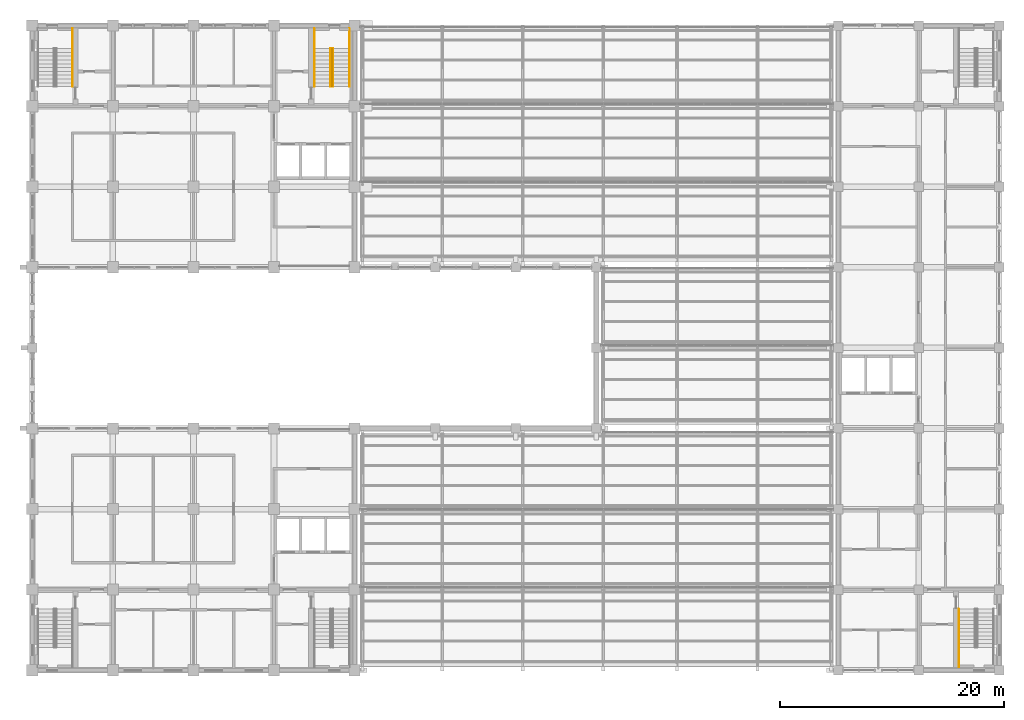
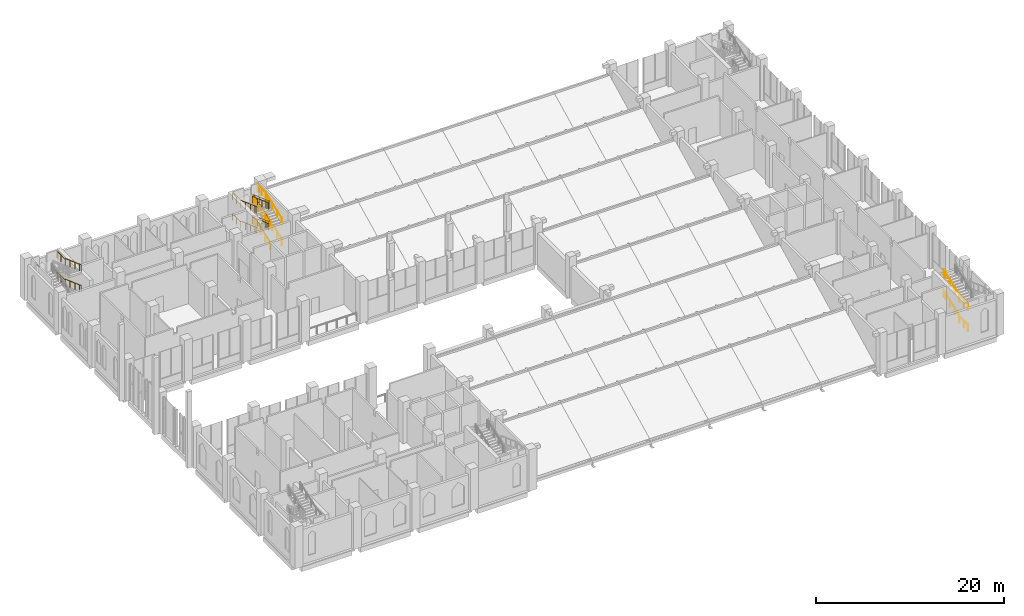
# One storey, part 81 of 83: 13 railings.
"""IFC4 building model written with IfcOpenShell, lengths in metres."""

from ifc_helpers import new_model, si_unit, direction, frame, origin, origin_2d, place, context, subcontext, project, spatial, circle, extrude, material, type_object, element, save


model = new_model("IFC4")

# Units and contexts
model_context = context("Model", 3, precision=1e-05, world=origin(), true_north=direction((0.0, 1.0)))
body_context = subcontext(model_context, "Body", "Model", "MODEL_VIEW")
ifc_project = project(units=[si_unit("LENGTHUNIT", "METRE"), si_unit("AREAUNIT", "SQUARE_METRE"), si_unit("VOLUMEUNIT", "CUBIC_METRE"), si_unit("PLANEANGLEUNIT", "RADIAN"), si_unit("MASSUNIT", "GRAM", prefix="KILO")], contexts=[model_context])

# Site, building, storey
site_placement = place(None, origin())
site = spatial("IfcSite", under=ifc_project, at=site_placement, CompositionType="ELEMENT")
building_placement = place(site_placement, origin())
building = spatial("IfcBuilding", under=site, at=building_placement, Name="Silangan Lancet Faculty of Sciences", CompositionType="ELEMENT")
storey_placement = place(building_placement, frame((0.0, 0.0, 11.39990234375)))
storey = spatial("IfcBuildingStorey", under=building, at=storey_placement, Name="L02", CompositionType="ELEMENT", Elevation=11.39990234375)

# Railings
ifc_material_1 = material(Name="Steel balustrade", Category="steel")
railing_type_1 = type_object("IfcRailingType", Name="STAIR GUARD 1100", PredefinedType="GUARDRAIL", material=ifc_material_1)
railing_1_placement = place(storey_placement, frame((26.824951171875, 52.14990234375, 0.122802734375)))
element("IfcRailing", 1, at=railing_1_placement, inside=storey, type_object=railing_type_1, Name="GUARD-NT-B-L02", PredefinedType="GUARDRAIL", context=body_context, shape_type="SweptSolid", body=[
    extrude(circle(Radius=0.02392578125, at=origin_2d()), frame((0.0, 0.0, 1.076171875), z_axis=(0.0, 0.940621302891, 0.339457750756), x_axis=(-1.0, 0.0, 0.0)), (0.0, 0.0, 1.0), 2.891845703125),
    extrude(circle(Radius=0.02392578125, at=origin_2d()), frame((0.0, 2.72021484375, 2.0576171875), z_axis=(0.0, 0.940520931127, 0.339735747474), x_axis=(-1.0, 0.0, 0.0)), (0.0, 0.0, 1.0), 0.722900390625),
    extrude(circle(Radius=0.02392578125, at=origin_2d()), frame((0.0, 3.400146484375, 2.30322265625), z_axis=(-1.0, 0.0, 0.0), x_axis=(0.0, -1.0, 0.0)), (0.0, 0.0, 1.0), 0.125),
    extrude(circle(Radius=0.02392578125, at=origin_2d()), frame((-0.125, 3.400146484375, 2.30322265625), z_axis=(0.0, 0.0, 1.0), x_axis=(1.0, 0.0, 0.0)), (0.0, 0.0, 1.0), 0.122802734375),
    extrude(circle(Radius=0.02392578125, at=origin_2d()), frame((-0.125, 3.400146484375, 2.42626953125), z_axis=(0.0, -0.940611573742, 0.339484708555), x_axis=(1.0, 0.0, 0.0)), (0.0, 0.0, 1.0), 2.8916015625),
    extrude(circle(Radius=0.02392578125, at=origin_2d()), frame((-0.125, 0.68017578125, 3.40771484375), z_axis=(0.0, -0.940559891121, 0.339627871668), x_axis=(1.0, 0.0, 0.0)), (0.0, 0.0, 1.0), 0.72314453125),
    extrude(circle(Radius=0.02392578125, at=origin_2d()), frame((-0.125, 0.0, 3.6533203125), z_axis=(1.0, 0.0, 0.0), x_axis=(0.0, 1.0, 0.0)), (0.0, 0.0, 1.0), 0.125),
    extrude(circle(Radius=0.02392578125, at=origin_2d()), frame((0.0, 0.0, 3.6533203125), z_axis=(0.0, 0.0, 1.0), x_axis=(1.0, 0.0, 0.0)), (0.0, 0.0, 1.0), 0.12255859375),
    extrude(circle(Radius=0.02392578125, at=origin_2d()), frame((0.0, 0.0, 3.77587890625), z_axis=(0.0, 0.9405943449, 0.339532440781), x_axis=(-1.0, 0.0, 0.0)), (0.0, 0.0, 1.0), 2.89208984375),
    extrude(circle(Radius=0.02392578125, at=origin_2d()), frame((0.0, 2.72021484375, 4.7578125), z_axis=(0.0, 0.940628803885, 0.339436965136), x_axis=(-1.0, 0.0, 0.0)), (0.0, 0.0, 1.0), 0.722900390625),
    extrude(circle(Radius=0.02392578125, at=origin_2d()), frame((0.0, 3.400146484375, 5.00341796875), z_axis=(-1.0, 0.0, 0.0), x_axis=(0.0, -1.0, 0.0)), (0.0, 0.0, 1.0), 0.125),
    extrude(circle(Radius=0.02392578125, at=origin_2d()), frame((-0.125, 3.400146484375, 5.00341796875), z_axis=(0.0, 0.0, 1.0), x_axis=(1.0, 0.0, 0.0)), (0.0, 0.0, 1.0), 0.122802734375),
    extrude(circle(Radius=0.02392578125, at=origin_2d()), frame((-0.125, 3.400146484375, 5.1259765625), z_axis=(0.0, -0.940611573742, 0.339484708555), x_axis=(1.0, 0.0, 0.0)), (0.0, 0.0, 1.0), 2.8916015625),
    extrude(circle(Radius=0.02392578125, at=origin_2d()), frame((-0.125, 0.68017578125, 6.10791015625), z_axis=(0.0, -0.940559891121, 0.339627871668), x_axis=(1.0, 0.0, 0.0)), (0.0, 0.0, 1.0), 0.72314453125),
    extrude(circle(Radius=0.02392578125, at=origin_2d()), frame((-0.125, 0.0, 6.353515625), z_axis=(1.0, 0.0, 0.0), x_axis=(0.0, 1.0, 0.0)), (0.0, 0.0, 1.0), 0.125),
    extrude(circle(Radius=0.02099609375, at=origin_2d()), origin(), (0.0, 0.0, 1.0), 1.052001953125),
    extrude(circle(Radius=0.02099609375, at=origin_2d()), frame((0.0, 1.360107421875, 0.49072265625)), (0.0, 0.0, 1.0), 1.052001953125),
    extrude(circle(Radius=0.02099609375, at=origin_2d()), frame((0.0, 2.72021484375, 0.981689453125)), (0.0, 0.0, 1.0), 1.052001953125),
    extrude(circle(Radius=0.02099609375, at=origin_2d()), frame((0.0, 3.400146484375, 1.227294921875)), (0.0, 0.0, 1.0), 1.052001953125),
    extrude(circle(Radius=0.02099609375, at=origin_2d()), frame((-0.125, 3.400146484375, 1.227294921875)), (0.0, 0.0, 1.0), 1.052001953125),
    extrude(circle(Radius=0.02099609375, at=origin_2d()), frame((-0.125, 3.400146484375, 1.35009765625)), (0.0, 0.0, 1.0), 1.052001953125),
    extrude(circle(Radius=0.02099609375, at=origin_2d()), frame((-0.125, 2.0400390625, 1.8408203125)), (0.0, 0.0, 1.0), 1.052001953125),
    extrude(circle(Radius=0.02099609375, at=origin_2d()), frame((-0.125, 0.68017578125, 2.331787109375)), (0.0, 0.0, 1.0), 1.052001953125),
    extrude(circle(Radius=0.02099609375, at=origin_2d()), frame((-0.125, 0.0, 2.577392578125)), (0.0, 0.0, 1.0), 1.052001953125),
    extrude(circle(Radius=0.02099609375, at=origin_2d()), frame((0.0, 0.0, 2.577392578125)), (0.0, 0.0, 1.0), 1.052001953125),
    extrude(circle(Radius=0.02099609375, at=origin_2d()), frame((0.0, 0.0, 2.699951171875)), (0.0, 0.0, 1.0), 1.052001953125),
    extrude(circle(Radius=0.02099609375, at=origin_2d()), frame((0.0, 1.360107421875, 3.19091796875)), (0.0, 0.0, 1.0), 1.052001953125),
    extrude(circle(Radius=0.02099609375, at=origin_2d()), frame((0.0, 2.72021484375, 3.681884765625)), (0.0, 0.0, 1.0), 1.052001953125),
    extrude(circle(Radius=0.02099609375, at=origin_2d()), frame((0.0, 3.400146484375, 3.92724609375)), (0.0, 0.0, 1.0), 1.052001953125),
    extrude(circle(Radius=0.02099609375, at=origin_2d()), frame((-0.125, 3.400146484375, 3.92724609375)), (0.0, 0.0, 1.0), 1.052001953125),
    extrude(circle(Radius=0.02099609375, at=origin_2d()), frame((-0.125, 3.400146484375, 4.050048828125)), (0.0, 0.0, 1.0), 1.052001953125),
    extrude(circle(Radius=0.02099609375, at=origin_2d()), frame((-0.125, 2.0400390625, 4.541015625)), (0.0, 0.0, 1.0), 1.052001953125),
    extrude(circle(Radius=0.02099609375, at=origin_2d()), frame((-0.125, 0.68017578125, 5.03173828125)), (0.0, 0.0, 1.0), 1.052001953125),
    extrude(circle(Radius=0.02099609375, at=origin_2d()), frame((-0.125, 0.0, 5.27734375)), (0.0, 0.0, 1.0), 1.052001953125),
    extrude(circle(Radius=0.02099609375, at=origin_2d()), frame((0.0, 0.0, 5.27734375)), (0.0, 0.0, 1.0), 1.052001953125),
])
ifc_material_2 = material(Name="Stainless steel", Category="steel")
railing_type_2 = type_object("IfcRailingType", Name="STAIR HANDRAIL 865", PredefinedType="HANDRAIL", material=ifc_material_2)
railing_2_placement = place(storey_placement, frame((82.800048828125, 0.27490234375, 1.35009765625)))
element("IfcRailing", 2, at=railing_2_placement, inside=storey, type_object=railing_type_2, Name="HANDRAIL-EB-A-L02-O2", PredefinedType="HANDRAIL", context=body_context, shape_type="SweptSolid", body=[
    extrude(circle(Radius=0.02392578125, at=origin_2d()), frame((0.0, 0.0, 0.8408203125), z_axis=(0.0, 1.0, 0.0), x_axis=(-1.0, 0.0, 0.0)), (0.0, 0.0, 1.0), 1.775146484375),
    extrude(circle(Radius=0.02392578125, at=origin_2d()), frame((0.0, 1.775146484375, 0.8408203125), z_axis=(0.0, 0.0, 1.0), x_axis=(1.0, 0.0, 0.0)), (0.0, 0.0, 1.0), 0.122802734375),
    extrude(circle(Radius=0.02392578125, at=origin_2d()), frame((0.0, 1.775146484375, 0.9638671875), z_axis=(0.0, 0.94060583065, 0.339500620541), x_axis=(-1.0, 0.0, 0.0)), (0.0, 0.0, 1.0), 1.08447265625),
    extrude(circle(Radius=0.02392578125, at=origin_2d()), frame((0.0, 2.795166015625, 1.33203125), z_axis=(0.0, 0.94060583065, 0.339500620541), x_axis=(-1.0, 0.0, 0.0)), (0.0, 0.0, 1.0), 1.08447265625),
    extrude(circle(Radius=0.02392578125, at=origin_2d()), frame((0.0, 3.815185546875, 1.7001953125), z_axis=(0.0, 0.94060583065, 0.339500620541), x_axis=(-1.0, 0.0, 0.0)), (0.0, 0.0, 1.0), 1.08447265625),
    extrude(circle(Radius=0.02392578125, at=origin_2d()), frame((0.0, 4.835205078125, 2.068359375), z_axis=(0.0, 0.940481933992, 0.339843687355), x_axis=(-1.0, 0.0, 0.0)), (0.0, 0.0, 1.0), 0.361328125),
    extrude(circle(Radius=0.02099609375, at=origin_2d()), origin(), (0.0, 0.0, 1.0), 0.81689453125),
    extrude(circle(Radius=0.02099609375, at=origin_2d()), frame((0.0, 0.8876953125, 0.0)), (0.0, 0.0, 1.0), 0.81689453125),
    extrude(circle(Radius=0.02099609375, at=origin_2d()), frame((0.0, 1.775146484375, 0.0)), (0.0, 0.0, 1.0), 0.81689453125),
    extrude(circle(Radius=0.02099609375, at=origin_2d()), frame((0.0, 1.775146484375, 0.122802734375)), (0.0, 0.0, 1.0), 0.81689453125),
    extrude(circle(Radius=0.02099609375, at=origin_2d()), frame((0.0, 2.795166015625, 0.490966796875)), (0.0, 0.0, 1.0), 0.81689453125),
    extrude(circle(Radius=0.02099609375, at=origin_2d()), frame((0.0, 3.815185546875, 0.859130859375)), (0.0, 0.0, 1.0), 0.81689453125),
    extrude(circle(Radius=0.02099609375, at=origin_2d()), frame((0.0, 4.835205078125, 1.227294921875)), (0.0, 0.0, 1.0), 0.81689453125),
    extrude(circle(Radius=0.02099609375, at=origin_2d()), frame((0.0, 5.175048828125, 1.35009765625)), (0.0, 0.0, 1.0), 0.81689453125),
])
railing_3_placement = place(storey_placement, frame((82.800048828125, 0.27490234375, 4.050048828125)))
element("IfcRailing", 3, at=railing_3_placement, inside=storey, type_object=railing_type_2, Name="HANDRAIL-EB-A-L02-O4", PredefinedType="HANDRAIL", context=body_context, shape_type="SweptSolid", body=[
    extrude(circle(Radius=0.02392578125, at=origin_2d()), frame((0.0, 0.0, 0.8408203125), z_axis=(0.0, 1.0, 0.0), x_axis=(-1.0, 0.0, 0.0)), (0.0, 0.0, 1.0), 1.775146484375),
    extrude(circle(Radius=0.02392578125, at=origin_2d()), frame((0.0, 1.775146484375, 0.8408203125), z_axis=(0.0, 0.0, 1.0), x_axis=(1.0, 0.0, 0.0)), (0.0, 0.0, 1.0), 0.122802734375),
    extrude(circle(Radius=0.02392578125, at=origin_2d()), frame((0.0, 1.775146484375, 0.9638671875), z_axis=(0.0, 0.94060583065, 0.339500620541), x_axis=(-1.0, 0.0, 0.0)), (0.0, 0.0, 1.0), 1.08447265625),
    extrude(circle(Radius=0.02392578125, at=origin_2d()), frame((0.0, 2.795166015625, 1.33203125), z_axis=(0.0, 0.94060583065, 0.339500620541), x_axis=(-1.0, 0.0, 0.0)), (0.0, 0.0, 1.0), 1.08447265625),
    extrude(circle(Radius=0.02392578125, at=origin_2d()), frame((0.0, 3.815185546875, 1.7001953125), z_axis=(0.0, 0.94060583065, 0.339500620541), x_axis=(-1.0, 0.0, 0.0)), (0.0, 0.0, 1.0), 1.08447265625),
    extrude(circle(Radius=0.02392578125, at=origin_2d()), frame((0.0, 4.835205078125, 2.068359375), z_axis=(0.0, 0.940481933992, 0.339843687355), x_axis=(-1.0, 0.0, 0.0)), (0.0, 0.0, 1.0), 0.361328125),
    extrude(circle(Radius=0.02099609375, at=origin_2d()), origin(), (0.0, 0.0, 1.0), 0.81689453125),
    extrude(circle(Radius=0.02099609375, at=origin_2d()), frame((0.0, 0.8876953125, 0.0)), (0.0, 0.0, 1.0), 0.81689453125),
    extrude(circle(Radius=0.02099609375, at=origin_2d()), frame((0.0, 1.775146484375, 0.0)), (0.0, 0.0, 1.0), 0.81689453125),
    extrude(circle(Radius=0.02099609375, at=origin_2d()), frame((0.0, 1.775146484375, 0.122802734375)), (0.0, 0.0, 1.0), 0.81689453125),
    extrude(circle(Radius=0.02099609375, at=origin_2d()), frame((0.0, 2.795166015625, 0.490966796875)), (0.0, 0.0, 1.0), 0.81689453125),
    extrude(circle(Radius=0.02099609375, at=origin_2d()), frame((0.0, 3.815185546875, 0.859130859375)), (0.0, 0.0, 1.0), 0.81689453125),
    extrude(circle(Radius=0.02099609375, at=origin_2d()), frame((0.0, 4.835205078125, 1.227294921875)), (0.0, 0.0, 1.0), 0.81689453125),
    extrude(circle(Radius=0.02099609375, at=origin_2d()), frame((0.0, 5.175048828125, 1.35009765625)), (0.0, 0.0, 1.0), 0.81689453125),
])
railing_4_placement = place(storey_placement, frame((3.60009765625, 57.324951171875, 1.35009765625)))
element("IfcRailing", 4, at=railing_4_placement, inside=storey, type_object=railing_type_2, Name="HANDRAIL-NT-A-L02-O2", PredefinedType="HANDRAIL", context=body_context, shape_type="SweptSolid", body=[
    extrude(circle(Radius=0.02392578125, at=origin_2d()), frame((0.0, 0.0, 0.8408203125), z_axis=(0.0, -1.0, 0.0), x_axis=(1.0, 0.0, 0.0)), (0.0, 0.0, 1.0), 1.77490234375),
    extrude(circle(Radius=0.02392578125, at=origin_2d()), frame((0.0, -1.77490234375, 0.8408203125), z_axis=(0.0, 0.0, 1.0), x_axis=(1.0, 0.0, 0.0)), (0.0, 0.0, 1.0), 0.122802734375),
    extrude(circle(Radius=0.02392578125, at=origin_2d()), frame((0.0, -1.77490234375, 0.9638671875), z_axis=(0.0, -0.94060583065, 0.339500620541), x_axis=(1.0, 0.0, 0.0)), (0.0, 0.0, 1.0), 1.08447265625),
    extrude(circle(Radius=0.02392578125, at=origin_2d()), frame((0.0, -2.794921875, 1.33203125), z_axis=(0.0, -0.94060583065, 0.339500620541), x_axis=(1.0, 0.0, 0.0)), (0.0, 0.0, 1.0), 1.08447265625),
    extrude(circle(Radius=0.02392578125, at=origin_2d()), frame((0.0, -3.81494140625, 1.7001953125), z_axis=(0.0, -0.94060583065, 0.339500620541), x_axis=(1.0, 0.0, 0.0)), (0.0, 0.0, 1.0), 1.08447265625),
    extrude(circle(Radius=0.02392578125, at=origin_2d()), frame((0.0, -4.8349609375, 2.068359375), z_axis=(0.0, -0.940559891121, 0.339627871668), x_axis=(1.0, 0.0, 0.0)), (0.0, 0.0, 1.0), 0.361572265625),
    extrude(circle(Radius=0.02099609375, at=origin_2d()), origin(), (0.0, 0.0, 1.0), 0.81689453125),
    extrude(circle(Radius=0.02099609375, at=origin_2d()), frame((0.0, -0.887451171875, 0.0)), (0.0, 0.0, 1.0), 0.81689453125),
    extrude(circle(Radius=0.02099609375, at=origin_2d()), frame((0.0, -1.77490234375, 0.0)), (0.0, 0.0, 1.0), 0.81689453125),
    extrude(circle(Radius=0.02099609375, at=origin_2d()), frame((0.0, -1.77490234375, 0.122802734375)), (0.0, 0.0, 1.0), 0.81689453125),
    extrude(circle(Radius=0.02099609375, at=origin_2d()), frame((0.0, -2.794921875, 0.490966796875)), (0.0, 0.0, 1.0), 0.81689453125),
    extrude(circle(Radius=0.02099609375, at=origin_2d()), frame((0.0, -3.81494140625, 0.859130859375)), (0.0, 0.0, 1.0), 0.81689453125),
    extrude(circle(Radius=0.02099609375, at=origin_2d()), frame((0.0, -4.8349609375, 1.227294921875)), (0.0, 0.0, 1.0), 0.81689453125),
    extrude(circle(Radius=0.02099609375, at=origin_2d()), frame((0.0, -5.175048828125, 1.35009765625)), (0.0, 0.0, 1.0), 0.81689453125),
])
railing_5_placement = place(storey_placement, frame((3.60009765625, 57.324951171875, 4.050048828125)))
element("IfcRailing", 5, at=railing_5_placement, inside=storey, type_object=railing_type_2, Name="HANDRAIL-NT-A-L02-O4", PredefinedType="HANDRAIL", context=body_context, shape_type="SweptSolid", body=[
    extrude(circle(Radius=0.02392578125, at=origin_2d()), frame((0.0, 0.0, 0.8408203125), z_axis=(0.0, -1.0, 0.0), x_axis=(1.0, 0.0, 0.0)), (0.0, 0.0, 1.0), 1.77490234375),
    extrude(circle(Radius=0.02392578125, at=origin_2d()), frame((0.0, -1.77490234375, 0.8408203125), z_axis=(0.0, 0.0, 1.0), x_axis=(1.0, 0.0, 0.0)), (0.0, 0.0, 1.0), 0.122802734375),
    extrude(circle(Radius=0.02392578125, at=origin_2d()), frame((0.0, -1.77490234375, 0.9638671875), z_axis=(0.0, -0.94060583065, 0.339500620541), x_axis=(1.0, 0.0, 0.0)), (0.0, 0.0, 1.0), 1.08447265625),
    extrude(circle(Radius=0.02392578125, at=origin_2d()), frame((0.0, -2.794921875, 1.33203125), z_axis=(0.0, -0.94060583065, 0.339500620541), x_axis=(1.0, 0.0, 0.0)), (0.0, 0.0, 1.0), 1.08447265625),
    extrude(circle(Radius=0.02392578125, at=origin_2d()), frame((0.0, -3.81494140625, 1.7001953125), z_axis=(0.0, -0.94060583065, 0.339500620541), x_axis=(1.0, 0.0, 0.0)), (0.0, 0.0, 1.0), 1.08447265625),
    extrude(circle(Radius=0.02392578125, at=origin_2d()), frame((0.0, -4.8349609375, 2.068359375), z_axis=(0.0, -0.940559891121, 0.339627871668), x_axis=(1.0, 0.0, 0.0)), (0.0, 0.0, 1.0), 0.361572265625),
    extrude(circle(Radius=0.02099609375, at=origin_2d()), origin(), (0.0, 0.0, 1.0), 0.81689453125),
    extrude(circle(Radius=0.02099609375, at=origin_2d()), frame((0.0, -0.887451171875, 0.0)), (0.0, 0.0, 1.0), 0.81689453125),
    extrude(circle(Radius=0.02099609375, at=origin_2d()), frame((0.0, -1.77490234375, 0.0)), (0.0, 0.0, 1.0), 0.81689453125),
    extrude(circle(Radius=0.02099609375, at=origin_2d()), frame((0.0, -1.77490234375, 0.122802734375)), (0.0, 0.0, 1.0), 0.81689453125),
    extrude(circle(Radius=0.02099609375, at=origin_2d()), frame((0.0, -2.794921875, 0.490966796875)), (0.0, 0.0, 1.0), 0.81689453125),
    extrude(circle(Radius=0.02099609375, at=origin_2d()), frame((0.0, -3.81494140625, 0.859130859375)), (0.0, 0.0, 1.0), 0.81689453125),
    extrude(circle(Radius=0.02099609375, at=origin_2d()), frame((0.0, -4.8349609375, 1.227294921875)), (0.0, 0.0, 1.0), 0.81689453125),
    extrude(circle(Radius=0.02099609375, at=origin_2d()), frame((0.0, -5.175048828125, 1.35009765625)), (0.0, 0.0, 1.0), 0.81689453125),
])
railing_6_placement = place(storey_placement, frame((28.324951171875, 52.14990234375, 0.122802734375)))
element("IfcRailing", 6, at=railing_6_placement, inside=storey, type_object=railing_type_2, Name="HANDRAIL-NT-B-L02-O1", PredefinedType="HANDRAIL", context=body_context, shape_type="SweptSolid", body=[
    extrude(circle(Radius=0.02392578125, at=origin_2d()), frame((0.0, 0.0, 0.8408203125), z_axis=(0.0, 0.94060583065, 0.339500620541), x_axis=(-1.0, 0.0, 0.0)), (0.0, 0.0, 1.0), 1.08447265625),
    extrude(circle(Radius=0.02392578125, at=origin_2d()), frame((0.0, 1.02001953125, 1.208984375), z_axis=(0.0, 0.94060583065, 0.339500620541), x_axis=(-1.0, 0.0, 0.0)), (0.0, 0.0, 1.0), 1.08447265625),
    extrude(circle(Radius=0.02392578125, at=origin_2d()), frame((0.0, 2.0400390625, 1.5771484375), z_axis=(0.0, 0.94060583065, 0.339500620541), x_axis=(-1.0, 0.0, 0.0)), (0.0, 0.0, 1.0), 1.08447265625),
    extrude(circle(Radius=0.02392578125, at=origin_2d()), frame((0.0, 3.06005859375, 1.9453125), z_axis=(0.0, 0.940559891121, 0.339627871668), x_axis=(-1.0, 0.0, 0.0)), (0.0, 0.0, 1.0), 0.361572265625),
    extrude(circle(Radius=0.02392578125, at=origin_2d()), frame((0.0, 3.400146484375, 2.068359375), z_axis=(0.0, 1.0, 0.0), x_axis=(-1.0, 0.0, 0.0)), (0.0, 0.0, 1.0), 1.77490234375),
    extrude(circle(Radius=0.02099609375, at=origin_2d()), origin(), (0.0, 0.0, 1.0), 0.81689453125),
    extrude(circle(Radius=0.02099609375, at=origin_2d()), frame((0.0, 1.02001953125, 0.3681640625)), (0.0, 0.0, 1.0), 0.81689453125),
    extrude(circle(Radius=0.02099609375, at=origin_2d()), frame((0.0, 2.0400390625, 0.736328125)), (0.0, 0.0, 1.0), 0.81689453125),
    extrude(circle(Radius=0.02099609375, at=origin_2d()), frame((0.0, 3.06005859375, 1.1044921875)), (0.0, 0.0, 1.0), 0.81689453125),
    extrude(circle(Radius=0.02099609375, at=origin_2d()), frame((0.0, 3.400146484375, 1.227294921875)), (0.0, 0.0, 1.0), 0.81689453125),
    extrude(circle(Radius=0.02099609375, at=origin_2d()), frame((0.0, 4.28759765625, 1.227294921875)), (0.0, 0.0, 1.0), 0.81689453125),
    extrude(circle(Radius=0.02099609375, at=origin_2d()), frame((0.0, 5.175048828125, 1.227294921875)), (0.0, 0.0, 1.0), 0.81689453125),
])
railing_7_placement = place(storey_placement, frame((26.875, 52.14990234375, 0.122802734375)))
element("IfcRailing", 7, at=railing_7_placement, inside=storey, type_object=railing_type_2, Name="HANDRAIL-NT-B-L02-I1", PredefinedType="HANDRAIL", context=body_context, shape_type="SweptSolid", body=[
    extrude(circle(Radius=0.02392578125, at=origin_2d()), frame((0.0, 0.0, 0.8408203125), z_axis=(0.0, 0.94060583065, 0.339500620541), x_axis=(-1.0, 0.0, 0.0)), (0.0, 0.0, 1.0), 1.08447265625),
    extrude(circle(Radius=0.02392578125, at=origin_2d()), frame((0.0, 1.02001953125, 1.208984375), z_axis=(0.0, 0.94060583065, 0.339500620541), x_axis=(-1.0, 0.0, 0.0)), (0.0, 0.0, 1.0), 1.08447265625),
    extrude(circle(Radius=0.02392578125, at=origin_2d()), frame((0.0, 2.0400390625, 1.5771484375), z_axis=(0.0, 0.94060583065, 0.339500620541), x_axis=(-1.0, 0.0, 0.0)), (0.0, 0.0, 1.0), 1.08447265625),
    extrude(circle(Radius=0.02392578125, at=origin_2d()), frame((0.0, 3.06005859375, 1.9453125), z_axis=(0.0, 0.940559891121, 0.339627871668), x_axis=(-1.0, 0.0, 0.0)), (0.0, 0.0, 1.0), 0.361572265625),
    extrude(circle(Radius=0.02099609375, at=origin_2d()), origin(), (0.0, 0.0, 1.0), 0.81689453125),
    extrude(circle(Radius=0.02099609375, at=origin_2d()), frame((0.0, 1.02001953125, 0.3681640625)), (0.0, 0.0, 1.0), 0.81689453125),
    extrude(circle(Radius=0.02099609375, at=origin_2d()), frame((0.0, 2.0400390625, 0.736328125)), (0.0, 0.0, 1.0), 0.81689453125),
    extrude(circle(Radius=0.02099609375, at=origin_2d()), frame((0.0, 3.06005859375, 1.1044921875)), (0.0, 0.0, 1.0), 0.81689453125),
    extrude(circle(Radius=0.02099609375, at=origin_2d()), frame((0.0, 3.400146484375, 1.227294921875)), (0.0, 0.0, 1.0), 0.81689453125),
])
railing_8_placement = place(storey_placement, frame((25.199951171875, 57.324951171875, 1.35009765625)))
element("IfcRailing", 8, at=railing_8_placement, inside=storey, type_object=railing_type_2, Name="HANDRAIL-NT-B-L02-O2", PredefinedType="HANDRAIL", context=body_context, shape_type="SweptSolid", body=[
    extrude(circle(Radius=0.02392578125, at=origin_2d()), frame((0.0, 0.0, 0.8408203125), z_axis=(0.0, -1.0, 0.0), x_axis=(1.0, 0.0, 0.0)), (0.0, 0.0, 1.0), 1.77490234375),
    extrude(circle(Radius=0.02392578125, at=origin_2d()), frame((0.0, -1.77490234375, 0.8408203125), z_axis=(0.0, 0.0, 1.0), x_axis=(1.0, 0.0, 0.0)), (0.0, 0.0, 1.0), 0.122802734375),
    extrude(circle(Radius=0.02392578125, at=origin_2d()), frame((0.0, -1.77490234375, 0.9638671875), z_axis=(0.0, -0.94060583065, 0.339500620541), x_axis=(1.0, 0.0, 0.0)), (0.0, 0.0, 1.0), 1.08447265625),
    extrude(circle(Radius=0.02392578125, at=origin_2d()), frame((0.0, -2.794921875, 1.33203125), z_axis=(0.0, -0.94060583065, 0.339500620541), x_axis=(1.0, 0.0, 0.0)), (0.0, 0.0, 1.0), 1.08447265625),
    extrude(circle(Radius=0.02392578125, at=origin_2d()), frame((0.0, -3.81494140625, 1.7001953125), z_axis=(0.0, -0.94060583065, 0.339500620541), x_axis=(1.0, 0.0, 0.0)), (0.0, 0.0, 1.0), 1.08447265625),
    extrude(circle(Radius=0.02392578125, at=origin_2d()), frame((0.0, -4.8349609375, 2.068359375), z_axis=(0.0, -0.940559891121, 0.339627871668), x_axis=(1.0, 0.0, 0.0)), (0.0, 0.0, 1.0), 0.361572265625),
    extrude(circle(Radius=0.02099609375, at=origin_2d()), origin(), (0.0, 0.0, 1.0), 0.81689453125),
    extrude(circle(Radius=0.02099609375, at=origin_2d()), frame((0.0, -0.887451171875, 0.0)), (0.0, 0.0, 1.0), 0.81689453125),
    extrude(circle(Radius=0.02099609375, at=origin_2d()), frame((0.0, -1.77490234375, 0.0)), (0.0, 0.0, 1.0), 0.81689453125),
    extrude(circle(Radius=0.02099609375, at=origin_2d()), frame((0.0, -1.77490234375, 0.122802734375)), (0.0, 0.0, 1.0), 0.81689453125),
    extrude(circle(Radius=0.02099609375, at=origin_2d()), frame((0.0, -2.794921875, 0.490966796875)), (0.0, 0.0, 1.0), 0.81689453125),
    extrude(circle(Radius=0.02099609375, at=origin_2d()), frame((0.0, -3.81494140625, 0.859130859375)), (0.0, 0.0, 1.0), 0.81689453125),
    extrude(circle(Radius=0.02099609375, at=origin_2d()), frame((0.0, -4.8349609375, 1.227294921875)), (0.0, 0.0, 1.0), 0.81689453125),
    extrude(circle(Radius=0.02099609375, at=origin_2d()), frame((0.0, -5.175048828125, 1.35009765625)), (0.0, 0.0, 1.0), 0.81689453125),
])
railing_9_placement = place(storey_placement, frame((26.64990234375, 55.550048828125, 1.472900390625)))
element("IfcRailing", 9, at=railing_9_placement, inside=storey, type_object=railing_type_2, Name="HANDRAIL-NT-B-L02-I2", PredefinedType="HANDRAIL", context=body_context, shape_type="SweptSolid", body=[
    extrude(circle(Radius=0.02392578125, at=origin_2d()), frame((0.0, 0.0, 0.8408203125), z_axis=(0.0, -0.94060583065, 0.339500620541), x_axis=(1.0, 0.0, 0.0)), (0.0, 0.0, 1.0), 1.08447265625),
    extrude(circle(Radius=0.02392578125, at=origin_2d()), frame((0.0, -1.02001953125, 1.208984375), z_axis=(0.0, -0.94060583065, 0.339500620541), x_axis=(1.0, 0.0, 0.0)), (0.0, 0.0, 1.0), 1.08447265625),
    extrude(circle(Radius=0.02392578125, at=origin_2d()), frame((0.0, -2.0400390625, 1.5771484375), z_axis=(0.0, -0.94060583065, 0.339500620541), x_axis=(1.0, 0.0, 0.0)), (0.0, 0.0, 1.0), 1.08447265625),
    extrude(circle(Radius=0.02392578125, at=origin_2d()), frame((0.0, -3.06005859375, 1.9453125), z_axis=(0.0, -0.940559891121, 0.339627871668), x_axis=(1.0, 0.0, 0.0)), (0.0, 0.0, 1.0), 0.361572265625),
    extrude(circle(Radius=0.02099609375, at=origin_2d()), origin(), (0.0, 0.0, 1.0), 0.81689453125),
    extrude(circle(Radius=0.02099609375, at=origin_2d()), frame((0.0, -1.02001953125, 0.3681640625)), (0.0, 0.0, 1.0), 0.81689453125),
    extrude(circle(Radius=0.02099609375, at=origin_2d()), frame((0.0, -2.0400390625, 0.736328125)), (0.0, 0.0, 1.0), 0.81689453125),
    extrude(circle(Radius=0.02099609375, at=origin_2d()), frame((0.0, -3.06005859375, 1.1044921875)), (0.0, 0.0, 1.0), 0.81689453125),
    extrude(circle(Radius=0.02099609375, at=origin_2d()), frame((0.0, -3.400146484375, 1.227294921875)), (0.0, 0.0, 1.0), 0.81689453125),
])
railing_10_placement = place(storey_placement, frame((28.324951171875, 52.14990234375, 2.82275390625)))
element("IfcRailing", 10, at=railing_10_placement, inside=storey, type_object=railing_type_2, Name="HANDRAIL-NT-B-L02-O3", PredefinedType="HANDRAIL", context=body_context, shape_type="SweptSolid", body=[
    extrude(circle(Radius=0.02392578125, at=origin_2d()), frame((0.0, 0.0, 0.8408203125), z_axis=(0.0, 0.94060583065, 0.339500620541), x_axis=(-1.0, 0.0, 0.0)), (0.0, 0.0, 1.0), 1.08447265625),
    extrude(circle(Radius=0.02392578125, at=origin_2d()), frame((0.0, 1.02001953125, 1.208984375), z_axis=(0.0, 0.94060583065, 0.339500620541), x_axis=(-1.0, 0.0, 0.0)), (0.0, 0.0, 1.0), 1.08447265625),
    extrude(circle(Radius=0.02392578125, at=origin_2d()), frame((0.0, 2.0400390625, 1.5771484375), z_axis=(0.0, 0.940533921917, 0.339699781755), x_axis=(-1.0, 0.0, 0.0)), (0.0, 0.0, 1.0), 1.08447265625),
    extrude(circle(Radius=0.02392578125, at=origin_2d()), frame((0.0, 3.06005859375, 1.94580078125), z_axis=(0.0, 0.940775438362, 0.339030344622), x_axis=(-1.0, 0.0, 0.0)), (0.0, 0.0, 1.0), 0.361572265625),
    extrude(circle(Radius=0.02392578125, at=origin_2d()), frame((0.0, 3.400146484375, 2.068359375), z_axis=(0.0, 1.0, 0.0), x_axis=(-1.0, 0.0, 0.0)), (0.0, 0.0, 1.0), 1.77490234375),
    extrude(circle(Radius=0.02099609375, at=origin_2d()), origin(), (0.0, 0.0, 1.0), 0.81689453125),
    extrude(circle(Radius=0.02099609375, at=origin_2d()), frame((0.0, 1.02001953125, 0.3681640625)), (0.0, 0.0, 1.0), 0.81689453125),
    extrude(circle(Radius=0.02099609375, at=origin_2d()), frame((0.0, 2.0400390625, 0.736328125)), (0.0, 0.0, 1.0), 0.81689453125),
    extrude(circle(Radius=0.02099609375, at=origin_2d()), frame((0.0, 3.06005859375, 1.104736328125)), (0.0, 0.0, 1.0), 0.81689453125),
    extrude(circle(Radius=0.02099609375, at=origin_2d()), frame((0.0, 3.400146484375, 1.227294921875)), (0.0, 0.0, 1.0), 0.81689453125),
    extrude(circle(Radius=0.02099609375, at=origin_2d()), frame((0.0, 4.28759765625, 1.227294921875)), (0.0, 0.0, 1.0), 0.81689453125),
    extrude(circle(Radius=0.02099609375, at=origin_2d()), frame((0.0, 5.175048828125, 1.227294921875)), (0.0, 0.0, 1.0), 0.81689453125),
])
railing_11_placement = place(storey_placement, frame((26.875, 52.14990234375, 2.82275390625)))
element("IfcRailing", 11, at=railing_11_placement, inside=storey, type_object=railing_type_2, Name="HANDRAIL-NT-B-L02-I3", PredefinedType="HANDRAIL", context=body_context, shape_type="SweptSolid", body=[
    extrude(circle(Radius=0.02392578125, at=origin_2d()), frame((0.0, 0.0, 0.8408203125), z_axis=(0.0, 0.94060583065, 0.339500620541), x_axis=(-1.0, 0.0, 0.0)), (0.0, 0.0, 1.0), 1.08447265625),
    extrude(circle(Radius=0.02392578125, at=origin_2d()), frame((0.0, 1.02001953125, 1.208984375), z_axis=(0.0, 0.94060583065, 0.339500620541), x_axis=(-1.0, 0.0, 0.0)), (0.0, 0.0, 1.0), 1.08447265625),
    extrude(circle(Radius=0.02392578125, at=origin_2d()), frame((0.0, 2.0400390625, 1.5771484375), z_axis=(0.0, 0.940533921917, 0.339699781755), x_axis=(-1.0, 0.0, 0.0)), (0.0, 0.0, 1.0), 1.08447265625),
    extrude(circle(Radius=0.02392578125, at=origin_2d()), frame((0.0, 3.06005859375, 1.94580078125), z_axis=(0.0, 0.940775438362, 0.339030344622), x_axis=(-1.0, 0.0, 0.0)), (0.0, 0.0, 1.0), 0.361572265625),
    extrude(circle(Radius=0.02099609375, at=origin_2d()), origin(), (0.0, 0.0, 1.0), 0.81689453125),
    extrude(circle(Radius=0.02099609375, at=origin_2d()), frame((0.0, 1.02001953125, 0.3681640625)), (0.0, 0.0, 1.0), 0.81689453125),
    extrude(circle(Radius=0.02099609375, at=origin_2d()), frame((0.0, 2.0400390625, 0.736328125)), (0.0, 0.0, 1.0), 0.81689453125),
    extrude(circle(Radius=0.02099609375, at=origin_2d()), frame((0.0, 3.06005859375, 1.104736328125)), (0.0, 0.0, 1.0), 0.81689453125),
    extrude(circle(Radius=0.02099609375, at=origin_2d()), frame((0.0, 3.400146484375, 1.227294921875)), (0.0, 0.0, 1.0), 0.81689453125),
])
railing_12_placement = place(storey_placement, frame((25.199951171875, 57.324951171875, 4.050048828125)))
element("IfcRailing", 12, at=railing_12_placement, inside=storey, type_object=railing_type_2, Name="HANDRAIL-NT-B-L02-O4", PredefinedType="HANDRAIL", context=body_context, shape_type="SweptSolid", body=[
    extrude(circle(Radius=0.02392578125, at=origin_2d()), frame((0.0, 0.0, 0.8408203125), z_axis=(0.0, -1.0, 0.0), x_axis=(1.0, 0.0, 0.0)), (0.0, 0.0, 1.0), 1.77490234375),
    extrude(circle(Radius=0.02392578125, at=origin_2d()), frame((0.0, -1.77490234375, 0.8408203125), z_axis=(0.0, 0.0, 1.0), x_axis=(1.0, 0.0, 0.0)), (0.0, 0.0, 1.0), 0.122802734375),
    extrude(circle(Radius=0.02392578125, at=origin_2d()), frame((0.0, -1.77490234375, 0.9638671875), z_axis=(0.0, -0.94060583065, 0.339500620541), x_axis=(1.0, 0.0, 0.0)), (0.0, 0.0, 1.0), 1.08447265625),
    extrude(circle(Radius=0.02392578125, at=origin_2d()), frame((0.0, -2.794921875, 1.33203125), z_axis=(0.0, -0.94060583065, 0.339500620541), x_axis=(1.0, 0.0, 0.0)), (0.0, 0.0, 1.0), 1.08447265625),
    extrude(circle(Radius=0.02392578125, at=origin_2d()), frame((0.0, -3.81494140625, 1.7001953125), z_axis=(0.0, -0.94060583065, 0.339500620541), x_axis=(1.0, 0.0, 0.0)), (0.0, 0.0, 1.0), 1.08447265625),
    extrude(circle(Radius=0.02392578125, at=origin_2d()), frame((0.0, -4.8349609375, 2.068359375), z_axis=(0.0, -0.940559891121, 0.339627871668), x_axis=(1.0, 0.0, 0.0)), (0.0, 0.0, 1.0), 0.361572265625),
    extrude(circle(Radius=0.02099609375, at=origin_2d()), origin(), (0.0, 0.0, 1.0), 0.81689453125),
    extrude(circle(Radius=0.02099609375, at=origin_2d()), frame((0.0, -0.887451171875, 0.0)), (0.0, 0.0, 1.0), 0.81689453125),
    extrude(circle(Radius=0.02099609375, at=origin_2d()), frame((0.0, -1.77490234375, 0.0)), (0.0, 0.0, 1.0), 0.81689453125),
    extrude(circle(Radius=0.02099609375, at=origin_2d()), frame((0.0, -1.77490234375, 0.122802734375)), (0.0, 0.0, 1.0), 0.81689453125),
    extrude(circle(Radius=0.02099609375, at=origin_2d()), frame((0.0, -2.794921875, 0.490966796875)), (0.0, 0.0, 1.0), 0.81689453125),
    extrude(circle(Radius=0.02099609375, at=origin_2d()), frame((0.0, -3.81494140625, 0.859130859375)), (0.0, 0.0, 1.0), 0.81689453125),
    extrude(circle(Radius=0.02099609375, at=origin_2d()), frame((0.0, -4.8349609375, 1.227294921875)), (0.0, 0.0, 1.0), 0.81689453125),
    extrude(circle(Radius=0.02099609375, at=origin_2d()), frame((0.0, -5.175048828125, 1.35009765625)), (0.0, 0.0, 1.0), 0.81689453125),
])
railing_13_placement = place(storey_placement, frame((26.64990234375, 55.550048828125, 4.1728515625)))
element("IfcRailing", 13, at=railing_13_placement, inside=storey, type_object=railing_type_2, Name="HANDRAIL-NT-B-L02-I4", PredefinedType="HANDRAIL", context=body_context, shape_type="SweptSolid", body=[
    extrude(circle(Radius=0.02392578125, at=origin_2d()), frame((0.0, 0.0, 0.8408203125), z_axis=(0.0, -0.94060583065, 0.339500620541), x_axis=(1.0, 0.0, 0.0)), (0.0, 0.0, 1.0), 1.08447265625),
    extrude(circle(Radius=0.02392578125, at=origin_2d()), frame((0.0, -1.02001953125, 1.208984375), z_axis=(0.0, -0.94060583065, 0.339500620541), x_axis=(1.0, 0.0, 0.0)), (0.0, 0.0, 1.0), 1.08447265625),
    extrude(circle(Radius=0.02392578125, at=origin_2d()), frame((0.0, -2.0400390625, 1.5771484375), z_axis=(0.0, -0.94060583065, 0.339500620541), x_axis=(1.0, 0.0, 0.0)), (0.0, 0.0, 1.0), 1.08447265625),
    extrude(circle(Radius=0.02392578125, at=origin_2d()), frame((0.0, -3.06005859375, 1.9453125), z_axis=(0.0, -0.940559891121, 0.339627871668), x_axis=(1.0, 0.0, 0.0)), (0.0, 0.0, 1.0), 0.361572265625),
    extrude(circle(Radius=0.02099609375, at=origin_2d()), origin(), (0.0, 0.0, 1.0), 0.81689453125),
    extrude(circle(Radius=0.02099609375, at=origin_2d()), frame((0.0, -1.02001953125, 0.3681640625)), (0.0, 0.0, 1.0), 0.81689453125),
    extrude(circle(Radius=0.02099609375, at=origin_2d()), frame((0.0, -2.0400390625, 0.736328125)), (0.0, 0.0, 1.0), 0.81689453125),
    extrude(circle(Radius=0.02099609375, at=origin_2d()), frame((0.0, -3.06005859375, 1.1044921875)), (0.0, 0.0, 1.0), 0.81689453125),
    extrude(circle(Radius=0.02099609375, at=origin_2d()), frame((0.0, -3.400146484375, 1.227294921875)), (0.0, 0.0, 1.0), 0.81689453125),
])

save(model, "model.ifc")
